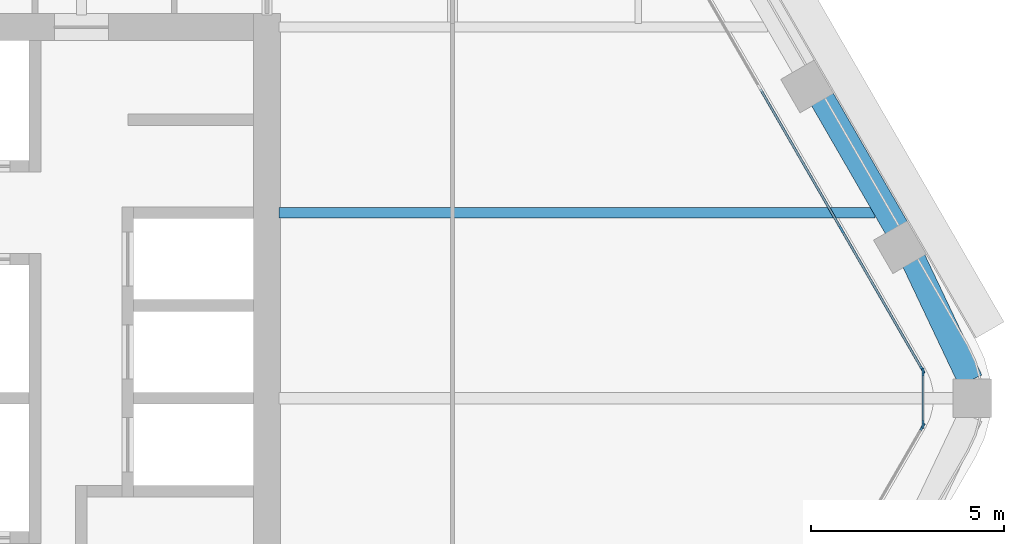
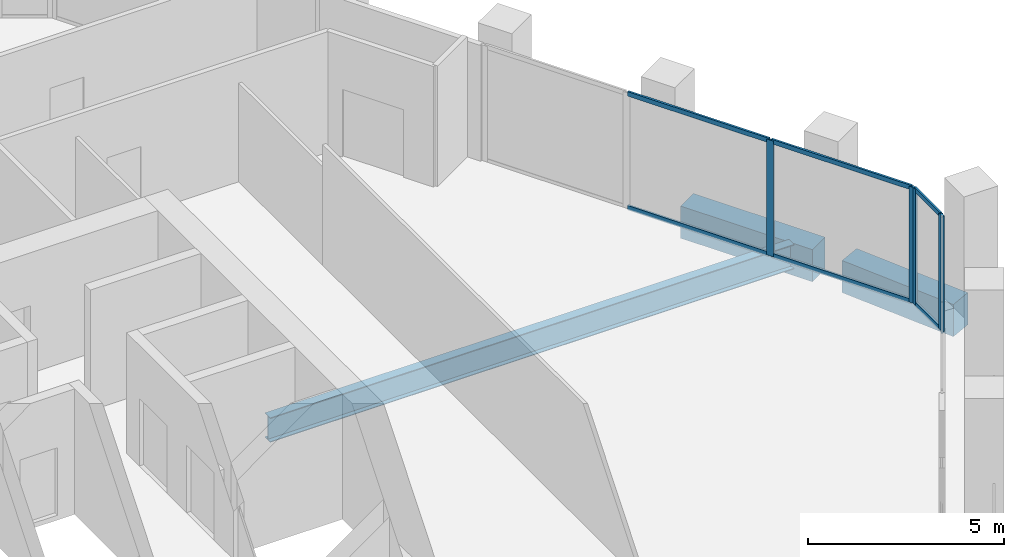
# One storey, part 5 of 16: 11 members, 3 beams, 3 elements without a shape of their own.
"""IFC4 building model written with IfcOpenShell, lengths in metres."""

from ifc_helpers import new_model, si_unit, direction, frame, origin, origin_2d, place, context, subcontext, project, spatial, rectangle, i_section, extrude, material, material_profile, profile_set, type_object, element, aggregate, save


model = new_model("IFC4")

# Units and contexts
model_context = context("Model", 3, precision=1e-05, world=origin(), true_north=direction((0.0, 1.0)))
body_context = subcontext(model_context, "Body", "Model", "MODEL_VIEW")
ifc_project = project(units=[si_unit("LENGTHUNIT", "METRE"), si_unit("AREAUNIT", "SQUARE_METRE"), si_unit("VOLUMEUNIT", "CUBIC_METRE"), si_unit("PLANEANGLEUNIT", "RADIAN"), si_unit("MASSUNIT", "GRAM", prefix="KILO")], contexts=[model_context])

# Site, building, storey
site_placement = place(None, origin())
site = spatial("IfcSite", under=ifc_project, at=site_placement, CompositionType="ELEMENT")
building_placement = place(site_placement, origin())
building = spatial("IfcBuilding", under=site, at=building_placement, Name="Kolab Exchange Tower", CompositionType="ELEMENT")
storey_placement = place(building_placement, frame((0.0, 0.0, 146.60009765625)))
storey = spatial("IfcBuildingStorey", under=building, at=storey_placement, Name="L29", CompositionType="ELEMENT", Elevation=146.60009765625)

# Beams
ifc_material_1 = material(Name="Steel S355", Category="steel")
ifc_material_profile_1 = material_profile(ifc_material_1, i_section(OverallWidth=0.26708984375, OverallDepth=0.761962890625, WebThickness=0.014404296875, FlangeThickness=0.021484375, at=origin_2d()), Name="W760X173")
ifc_profile_set_1 = profile_set([ifc_material_profile_1], Name="Steel S355")
beam_type_1 = type_object("IfcBeamType", Name="FLOOR BEAM W760X173", PredefinedType="BEAM", material=ifc_profile_set_1)
beam_1_placement = place(storey_placement, frame((9.909912109375, 4.800048828125, -0.531005859375), z_axis=(1.0, 0.0, 0.0), x_axis=(0.0, 1.0, 0.0)))
element("IfcBeam", 1, at=beam_1_placement, inside=storey, type_object=beam_type_1, Name="beam/L29/fr/019", PredefinedType="BEAM", context=body_context, shape_type="SweptSolid", body=[
    extrude(i_section(OverallWidth=0.26708984375, OverallDepth=0.761962890625, WebThickness=0.014404296875, FlangeThickness=0.021484375, at=origin_2d()), origin(), (0.0, 0.0, 1.0), 15.408203125),
])
ifc_material_2 = material(Name="Concrete C60/75", Category="concrete")
ifc_material_profile_2 = material_profile(ifc_material_2, rectangle(XDim=0.64990234375, YDim=1.0, at=origin_2d()), Name="RC650X1000")
ifc_profile_set_2 = profile_set([ifc_material_profile_2], Name="Concrete C60/75")
beam_type_2 = type_object("IfcBeamType", Name="SPANDREL BEAM 650X1000 C60/75", PredefinedType="BEAM", material=ifc_profile_set_2)
beam_2_placement = place(storey_placement, frame((23.948486328125, 7.7529296875, -0.650146484375), z_axis=(0.499996613652, -0.866027358884, 0.0), x_axis=(0.866027358884, 0.499996613652, 0.0)))
element("IfcBeam", 2, at=beam_2_placement, inside=storey, type_object=beam_type_2, Name="beam/L29/sp/F2-05", PredefinedType="BEAM", context=body_context, shape_type="SweptSolid", body=[
    extrude(rectangle(XDim=0.64990234375, YDim=1.0, at=origin_2d()), origin(), (0.0, 0.0, 1.0), 3.8798828125),
])
beam_3_placement = place(storey_placement, frame((26.316162109375, 3.5771484375, -0.650146484375), z_axis=(0.428177731975, -0.903694544545, 0.0), x_axis=(0.903694544545, 0.428177731975, 0.0)))
element("IfcBeam", 3, at=beam_3_placement, inside=storey, type_object=beam_type_2, Name="beam/L29/sp/F2-06", PredefinedType="BEAM", context=body_context, shape_type="SweptSolid", body=[
    extrude(rectangle(XDim=0.64990234375, YDim=1.0, at=origin_2d()), origin(), (0.0, 0.0, 1.0), 3.445068359375),
])

# Curtain wall, members
ifc_material_3 = material(Name="Aluminium EN AW-6063 T6", Category="aluminium")
curtain_wall_type = type_object("IfcCurtainWallType", Name="UNITISED UPPER MID ZONE CURTAIN WALL", PredefinedType="NOTDEFINED", material=ifc_material_3)
curtain_wall_1_placement = place(storey_placement, origin())
curtain_wall_1 = element("IfcCurtainWall", 4, at=curtain_wall_1_placement, inside=storey, type_object=curtain_wall_type, Name="cw/L29/F2-2", PredefinedType="NOTDEFINED")
ifc_material_profile_3 = material_profile(ifc_material_3, rectangle(XDim=0.06005859375, YDim=0.199951171875, at=origin_2d()), Name="RECT 60X200")
ifc_profile_set_3 = profile_set([ifc_material_profile_3], Name="Aluminium EN AW-6063 T6")
member_type_1 = type_object("IfcMemberType", Name="UNITISED UPPER MID ZONE MULLION 60 X 200", PredefinedType="MULLION", material=ifc_profile_set_3)
member_1_placement = place(storey_placement, frame((24.454345703125, 4.366943359375, 0.0), z_axis=(0.0, 0.0, 1.0), x_axis=(0.866025427826, 0.499999958358, 0.0)))
member_1 = element("IfcMember", 5, at=member_1_placement, type_object=member_type_1, Name="CW3 mullion 3", PredefinedType="MULLION", context=body_context, shape_type="SweptSolid", body=[
    extrude(rectangle(XDim=0.06005859375, YDim=0.199951171875, at=origin_2d()), origin(), (0.0, 0.0, 1.0), 3.599853515625),
])
member_2_placement = place(storey_placement, frame((26.550537109375, 0.736083984375, 0.0), z_axis=(0.0, 0.0, 1.0), x_axis=(0.866025427826, 0.499999958358, 0.0)))
member_2 = element("IfcMember", 6, at=member_2_placement, type_object=member_type_1, Name="CW3 mullion 4", PredefinedType="MULLION", context=body_context, shape_type="SweptSolid", body=[
    extrude(rectangle(XDim=0.06005859375, YDim=0.199951171875, at=origin_2d()), origin(), (0.0, 0.0, 1.0), 3.599853515625),
])

# Curtain wall, member
curtain_wall_2_placement = place(storey_placement, origin())
curtain_wall_2 = element("IfcCurtainWall", 7, at=curtain_wall_2_placement, inside=storey, type_object=curtain_wall_type, Name="cw/L29/F3-1", PredefinedType="NOTDEFINED")
member_3_placement = place(storey_placement, frame((26.550537109375, -0.736083984375, 0.0), z_axis=(0.0, 0.0, 1.0), x_axis=(0.866025440524, -0.499999936366, 0.0)))
member_3 = element("IfcMember", 8, at=member_3_placement, type_object=member_type_1, Name="CW3 mullion 1", PredefinedType="MULLION", context=body_context, shape_type="SweptSolid", body=[
    extrude(rectangle(XDim=0.06005859375, YDim=0.199951171875, at=origin_2d()), origin(), (0.0, 0.0, 1.0), 3.599853515625),
])
aggregate(curtain_wall_2, [member_3])

# Curtain wall, members
curtain_wall_3_placement = place(storey_placement, origin())
curtain_wall_3 = element("IfcCurtainWall", 9, at=curtain_wall_3_placement, inside=storey, type_object=curtain_wall_type, Name="cw/L29/F2F3-corner", PredefinedType="NOTDEFINED")
member_4_placement = place(storey_placement, frame((26.565673828125, 0.679931640625, 0.0), z_axis=(0.0, 0.0, 1.0), x_axis=(1.0, 0.0, 0.0)))
member_4 = element("IfcMember", 10, at=member_4_placement, type_object=member_type_1, Name="CW3 mullion 1", PredefinedType="MULLION", context=body_context, shape_type="SweptSolid", body=[
    extrude(rectangle(XDim=0.06005859375, YDim=0.199951171875, at=origin_2d()), origin(), (0.0, 0.0, 1.0), 3.599853515625),
])
member_5_placement = place(storey_placement, frame((26.565673828125, -0.679931640625, 0.0), z_axis=(0.0, 0.0, 1.0), x_axis=(1.0, 0.0, 0.0)))
member_5 = element("IfcMember", 11, at=member_5_placement, type_object=member_type_1, Name="CW3 mullion 2", PredefinedType="MULLION", context=body_context, shape_type="SweptSolid", body=[
    extrude(rectangle(XDim=0.06005859375, YDim=0.199951171875, at=origin_2d()), origin(), (0.0, 0.0, 1.0), 3.599853515625),
])

# Member
ifc_material_profile_4 = material_profile(ifc_material_3, rectangle(XDim=0.06005859375, YDim=0.139892578125, at=origin_2d()), Name="RECT 60X140")
ifc_profile_set_4 = profile_set([ifc_material_profile_4], Name="Aluminium EN AW-6063 T6")
member_type_2 = type_object("IfcMemberType", Name="UNITISED UPPER MID ZONE TRANSOM 60 X 140", PredefinedType="USERDEFINED", material=ifc_profile_set_4)
member_6_placement = place(storey_placement, frame((22.35791015625, 7.997802734375, 0.02978515625), z_axis=(0.49999322259, -0.866029316688, 0.0), x_axis=(0.866029316688, 0.49999322259, 0.0)))
member_6 = element("IfcMember", 12, at=member_6_placement, type_object=member_type_2, Name="CW3 transom 2.1", ObjectType="TRANSOM", PredefinedType="USERDEFINED", context=body_context, shape_type="SweptSolid", body=[
    extrude(rectangle(XDim=0.06005859375, YDim=0.139892578125, at=origin_2d()), origin(), (0.0, 0.0, 1.0), 4.16259765625),
])

member_7_placement = place(storey_placement, frame((22.35791015625, 7.997802734375, 3.56982421875), z_axis=(0.49999322259, -0.866029316688, 0.0), x_axis=(0.866029316688, 0.49999322259, 0.0)))
member_7 = element("IfcMember", 13, at=member_7_placement, type_object=member_type_2, Name="CW3 transom 2.2", ObjectType="TRANSOM", PredefinedType="USERDEFINED", context=body_context, shape_type="SweptSolid", body=[
    extrude(rectangle(XDim=0.06005859375, YDim=0.139892578125, at=origin_2d()), origin(), (0.0, 0.0, 1.0), 4.16259765625),
])

member_8_placement = place(storey_placement, frame((24.46923828125, 4.3408203125, 0.02978515625), z_axis=(0.500027577057, -0.866009481578, 0.0), x_axis=(0.866009481578, 0.500027577057, 0.0)))
member_8 = element("IfcMember", 14, at=member_8_placement, type_object=member_type_2, Name="CW3 transom 3.1", ObjectType="TRANSOM", PredefinedType="USERDEFINED", context=body_context, shape_type="SweptSolid", body=[
    extrude(rectangle(XDim=0.06005859375, YDim=0.139892578125, at=origin_2d()), origin(), (0.0, 0.0, 1.0), 4.132568359375),
])

member_9_placement = place(storey_placement, frame((24.46923828125, 4.3408203125, 3.56982421875), z_axis=(0.500027577057, -0.866009481578, 0.0), x_axis=(0.866009481578, 0.500027577057, 0.0)))
member_9 = element("IfcMember", 15, at=member_9_placement, type_object=member_type_2, Name="CW3 transom 3.2", ObjectType="TRANSOM", PredefinedType="USERDEFINED", context=body_context, shape_type="SweptSolid", body=[
    extrude(rectangle(XDim=0.06005859375, YDim=0.139892578125, at=origin_2d()), origin(), (0.0, 0.0, 1.0), 4.132568359375),
])

aggregate(curtain_wall_1, [member_1, member_2, member_6, member_7, member_8, member_9])

member_10_placement = place(storey_placement, frame((26.565673828125, 0.64990234375, 0.02978515625), z_axis=(0.0, -1.0, 0.0), x_axis=(1.0, 0.0, 0.0)))
member_10 = element("IfcMember", 16, at=member_10_placement, type_object=member_type_2, Name="CW3 transom 1.1", ObjectType="TRANSOM", PredefinedType="USERDEFINED", context=body_context, shape_type="SweptSolid", body=[
    extrude(rectangle(XDim=0.06005859375, YDim=0.139892578125, at=origin_2d()), origin(), (0.0, 0.0, 1.0), 1.2998046875),
])

member_11_placement = place(storey_placement, frame((26.565673828125, 0.64990234375, 3.56982421875), z_axis=(0.0, -1.0, 0.0), x_axis=(1.0, 0.0, 0.0)))
member_11 = element("IfcMember", 17, at=member_11_placement, type_object=member_type_2, Name="CW3 transom 1.2", ObjectType="TRANSOM", PredefinedType="USERDEFINED", context=body_context, shape_type="SweptSolid", body=[
    extrude(rectangle(XDim=0.06005859375, YDim=0.139892578125, at=origin_2d()), origin(), (0.0, 0.0, 1.0), 1.2998046875),
])

aggregate(curtain_wall_3, [member_4, member_5, member_10, member_11])

save(model, "model.ifc")
